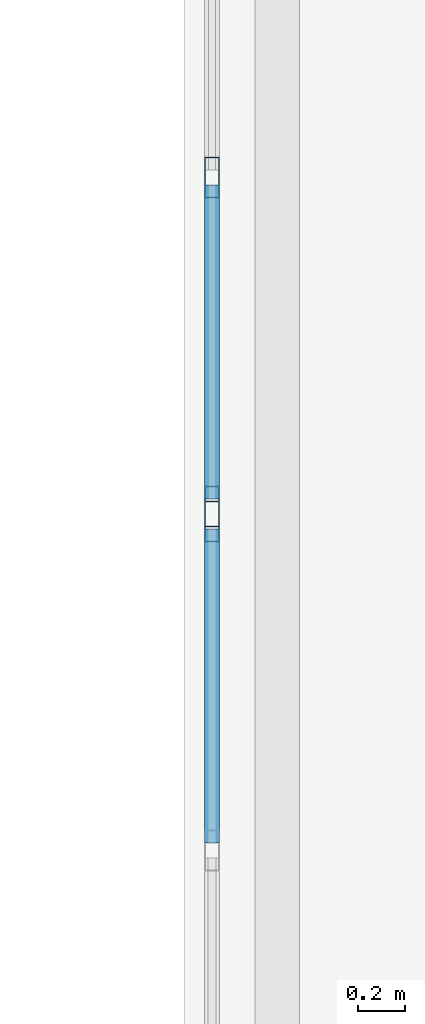
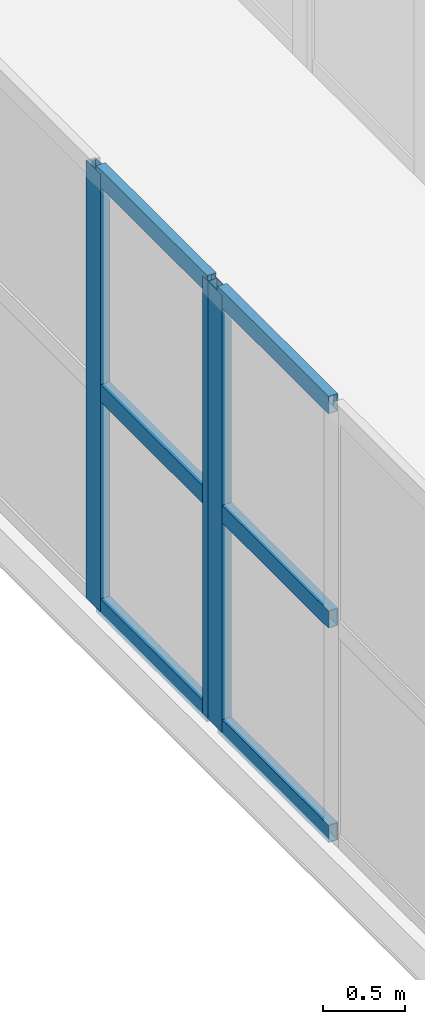
# One storey, part 47 of 146: 9 members, 2 elements without a shape of their own.
"""IFC4 building model written with IfcOpenShell, lengths in metres."""

from ifc_helpers import new_model, si_unit, direction, frame, origin, origin_2d, place, context, subcontext, project, spatial, hollow_rectangle, extrude, material, layer, layer_set, material_profile, profile_set, type_object, element, aggregate, save


model = new_model("IFC4")

# Units and contexts
model_context = context("Model", 3, precision=1e-05, world=origin(), true_north=direction((0.0, 1.0)))
body_context = subcontext(model_context, "Body", "Model", "MODEL_VIEW")
ifc_project = project(units=[si_unit("LENGTHUNIT", "METRE"), si_unit("AREAUNIT", "SQUARE_METRE"), si_unit("VOLUMEUNIT", "CUBIC_METRE"), si_unit("PLANEANGLEUNIT", "RADIAN"), si_unit("MASSUNIT", "GRAM", prefix="KILO")], contexts=[model_context])

# Site, building, storey
site_placement = place(None, origin())
site = spatial("IfcSite", under=ifc_project, at=site_placement, CompositionType="ELEMENT")
building_placement = place(site_placement, origin())
building = spatial("IfcBuilding", under=site, at=building_placement, Name="Valcora Specialist Clinic", CompositionType="ELEMENT")
storey_placement = place(building_placement, frame((0.0, 0.0, 9.52001953125)))
storey = spatial("IfcBuildingStorey", under=building, at=storey_placement, Name="L02", CompositionType="ELEMENT", Elevation=9.52001953125)

# Curtain wall, member
ifc_material = material(Name="Anodized Bronze Aluminium 6063-T6", Category="aluminium")
ifc_layer = layer(ifc_material, 0.175048828125)
ifc_layer_set = layer_set([ifc_layer], Name="Anodized Bronze Aluminium 6063-T6")
curtain_wall_type = type_object("IfcCurtainWallType", Name="TY-CW-BRG14", PredefinedType="NOTDEFINED", material=ifc_layer_set)
curtain_wall_1_placement = place(storey_placement, origin())
curtain_wall_1 = element("IfcCurtainWall", 1, at=curtain_wall_1_placement, inside=storey, type_object=curtain_wall_type, Name="Curtain wall CW-L02-255", PredefinedType="NOTDEFINED")
ifc_material_profile_1 = material_profile(ifc_material, hollow_rectangle(XDim=0.06494140625, YDim=0.175048828125, WallThickness=0.00390625, at=origin_2d()), Name="AL-MUL-65X175")
ifc_profile_set_1 = profile_set([ifc_material_profile_1], Name="Anodized Bronze Aluminium 6063-T6")
member_type_1 = type_object("IfcMemberType", Name="TY-CWM-65X175", PredefinedType="MULLION", material=ifc_profile_set_1)
member_1_placement = place(storey_placement, frame((61.320068359375, 62.13427734375, 0.0), z_axis=(0.0, 0.0, 1.0), x_axis=(-1.0, 0.0, 0.0)))
member_1 = element("IfcMember", 2, at=member_1_placement, type_object=member_type_1, Name="CW-BRG-14 mullion 5", PredefinedType="MULLION", context=body_context, shape_type="SweptSolid", body=[
    extrude(hollow_rectangle(XDim=0.06494140625, YDim=0.175048828125, WallThickness=0.00390625, at=origin_2d()), origin(), (0.0, 0.0, 1.0), 3.239990234375),
])

# Curtain wall, members
curtain_wall_2_placement = place(storey_placement, origin())
curtain_wall_2 = element("IfcCurtainWall", 3, at=curtain_wall_2_placement, inside=storey, type_object=curtain_wall_type, Name="Curtain wall CW-L02-256", PredefinedType="NOTDEFINED")
member_2_placement = place(storey_placement, frame((61.320068359375, 62.19921875, 0.0), z_axis=(0.0, 0.0, 1.0), x_axis=(-1.0, 0.0, 0.0)))
member_2 = element("IfcMember", 4, at=member_2_placement, type_object=member_type_1, Name="CW-BRG-14 mullion 1", PredefinedType="MULLION", context=body_context, shape_type="SweptSolid", body=[
    extrude(hollow_rectangle(XDim=0.06494140625, YDim=0.175048828125, WallThickness=0.00390625, at=origin_2d()), origin(), (0.0, 0.0, 1.0), 3.239990234375),
])
member_3_placement = place(storey_placement, frame((61.320068359375, 63.6083984375, 0.0), z_axis=(0.0, 0.0, 1.0), x_axis=(-1.0, 0.0, 0.0)))
member_3 = element("IfcMember", 5, at=member_3_placement, type_object=member_type_1, Name="CW-BRG-14 mullion 2", PredefinedType="MULLION", context=body_context, shape_type="SweptSolid", body=[
    extrude(hollow_rectangle(XDim=0.06494140625, YDim=0.175048828125, WallThickness=0.00390625, at=origin_2d()), origin(), (0.0, 0.0, 1.0), 3.239990234375),
])

# Member
ifc_material_profile_2 = material_profile(ifc_material, hollow_rectangle(XDim=0.06494140625, YDim=0.1298828125, WallThickness=0.00390625, at=origin_2d()), Name="AL-TRN-65X130")
ifc_profile_set_2 = profile_set([ifc_material_profile_2], Name="Anodized Bronze Aluminium 6063-T6")
member_type_2 = type_object("IfcMemberType", Name="TY-CWT-65X130", PredefinedType="USERDEFINED", material=ifc_profile_set_2)
member_4_placement = place(storey_placement, frame((61.320068359375, 60.757568359375, 0.032470703125), z_axis=(0.0, 1.0, 0.0), x_axis=(-1.0, 0.0, 0.0)))
member_4 = element("IfcMember", 6, at=member_4_placement, type_object=member_type_2, Name="CW-BRG-14 transom 4.1", ObjectType="TRANSOM", PredefinedType="USERDEFINED", context=body_context, shape_type="SweptSolid", body=[
    extrude(hollow_rectangle(XDim=0.06494140625, YDim=0.1298828125, WallThickness=0.00390625, at=origin_2d()), origin(), (0.0, 0.0, 1.0), 1.34423828125),
])

member_5_placement = place(storey_placement, frame((61.320068359375, 60.757568359375, 1.619873046875), z_axis=(0.0, 1.0, 0.0), x_axis=(-1.0, 0.0, 0.0)))
member_5 = element("IfcMember", 7, at=member_5_placement, type_object=member_type_2, Name="CW-BRG-14 transom 4.2", ObjectType="TRANSOM", PredefinedType="USERDEFINED", context=body_context, shape_type="SweptSolid", body=[
    extrude(hollow_rectangle(XDim=0.06494140625, YDim=0.1298828125, WallThickness=0.00390625, at=origin_2d()), origin(), (0.0, 0.0, 1.0), 1.34423828125),
])

member_6_placement = place(storey_placement, frame((61.320068359375, 60.757568359375, 3.20751953125), z_axis=(0.0, 1.0, 0.0), x_axis=(-1.0, 0.0, 0.0)))
member_6 = element("IfcMember", 8, at=member_6_placement, type_object=member_type_2, Name="CW-BRG-14 transom 4.3", ObjectType="TRANSOM", PredefinedType="USERDEFINED", context=body_context, shape_type="SweptSolid", body=[
    extrude(hollow_rectangle(XDim=0.06494140625, YDim=0.1298828125, WallThickness=0.00390625, at=origin_2d()), origin(), (0.0, 0.0, 1.0), 1.34423828125),
])

aggregate(curtain_wall_1, [member_1, member_4, member_5, member_6])

member_7_placement = place(storey_placement, frame((61.320068359375, 62.231689453125, 0.032470703125), z_axis=(0.0, 1.0, 0.0), x_axis=(-1.0, 0.0, 0.0)))
member_7 = element("IfcMember", 9, at=member_7_placement, type_object=member_type_2, Name="CW-BRG-14 transom 1.1", ObjectType="TRANSOM", PredefinedType="USERDEFINED", context=body_context, shape_type="SweptSolid", body=[
    extrude(hollow_rectangle(XDim=0.06494140625, YDim=0.1298828125, WallThickness=0.00390625, at=origin_2d()), origin(), (0.0, 0.0, 1.0), 1.34423828125),
])

member_8_placement = place(storey_placement, frame((61.320068359375, 62.231689453125, 1.619873046875), z_axis=(0.0, 1.0, 0.0), x_axis=(-1.0, 0.0, 0.0)))
member_8 = element("IfcMember", 10, at=member_8_placement, type_object=member_type_2, Name="CW-BRG-14 transom 1.2", ObjectType="TRANSOM", PredefinedType="USERDEFINED", context=body_context, shape_type="SweptSolid", body=[
    extrude(hollow_rectangle(XDim=0.06494140625, YDim=0.1298828125, WallThickness=0.00390625, at=origin_2d()), origin(), (0.0, 0.0, 1.0), 1.34423828125),
])

member_9_placement = place(storey_placement, frame((61.320068359375, 62.231689453125, 3.20751953125), z_axis=(0.0, 1.0, 0.0), x_axis=(-1.0, 0.0, 0.0)))
member_9 = element("IfcMember", 11, at=member_9_placement, type_object=member_type_2, Name="CW-BRG-14 transom 1.3", ObjectType="TRANSOM", PredefinedType="USERDEFINED", context=body_context, shape_type="SweptSolid", body=[
    extrude(hollow_rectangle(XDim=0.06494140625, YDim=0.1298828125, WallThickness=0.00390625, at=origin_2d()), origin(), (0.0, 0.0, 1.0), 1.34423828125),
])

aggregate(curtain_wall_2, [member_2, member_3, member_7, member_8, member_9])

save(model, "model.ifc")
